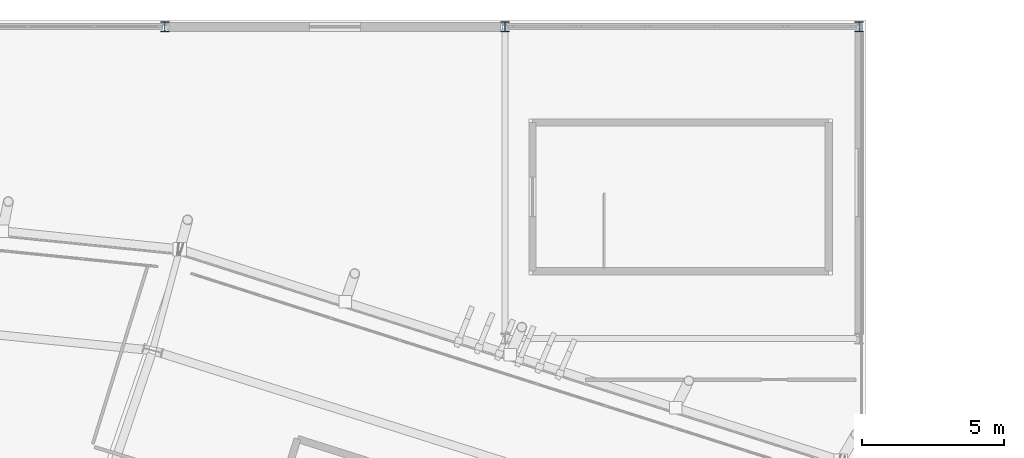
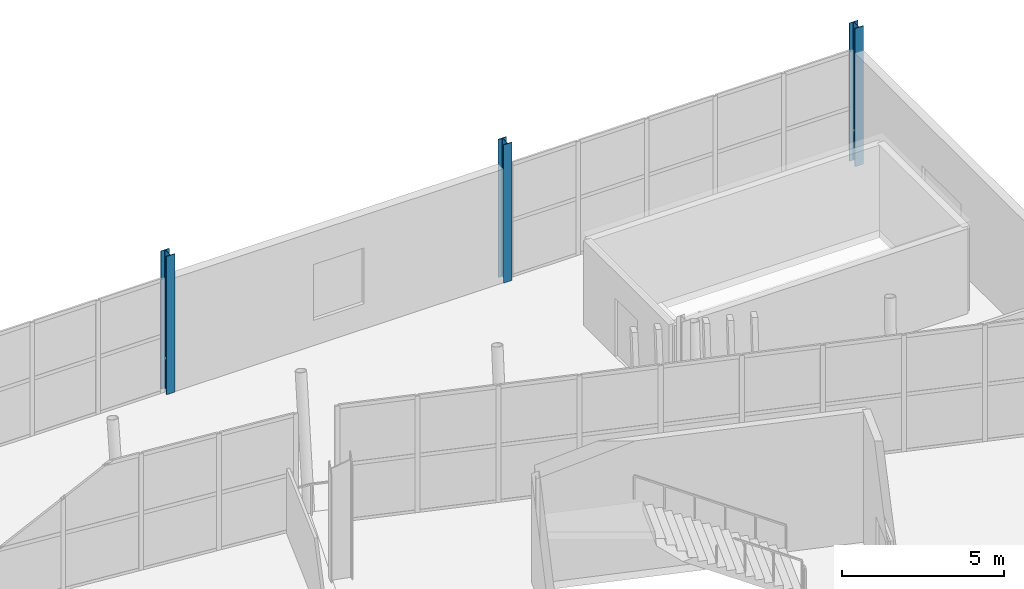
# One storey, part 20 of 168: 3 columns.
"""IFC4 building model written with IfcOpenShell, lengths in metres."""

from ifc_helpers import new_model, si_unit, direction, frame, origin, origin_2d, place, context, subcontext, project, spatial, i_section, extrude, material, material_profile, profile_set, type_object, element, save


model = new_model("IFC4")

# Units and contexts
model_context = context("Model", 3, precision=1e-05, world=origin(), true_north=direction((0.0, 1.0)))
body_context = subcontext(model_context, "Body", "Model", "MODEL_VIEW")
ifc_project = project(units=[si_unit("LENGTHUNIT", "METRE"), si_unit("AREAUNIT", "SQUARE_METRE"), si_unit("VOLUMEUNIT", "CUBIC_METRE"), si_unit("PLANEANGLEUNIT", "RADIAN"), si_unit("MASSUNIT", "GRAM", prefix="KILO")], contexts=[model_context])

# Site, building, storey
site_placement = place(None, origin())
site = spatial("IfcSite", under=ifc_project, at=site_placement, CompositionType="ELEMENT")
building_placement = place(site_placement, origin())
building = spatial("IfcBuilding", under=site, at=building_placement, Name="Zlatoyarsky Gate Stadium", CompositionType="ELEMENT")
storey_placement = place(building_placement, frame((0.0, 0.0, 15.60009765625)))
storey = spatial("IfcBuildingStorey", under=building, at=storey_placement, Name="L03", CompositionType="ELEMENT", Elevation=15.60009765625)

# Columns
ifc_material = material(Name="Steel S355", Category="steel")
ifc_material_profile = material_profile(ifc_material, i_section(OverallWidth=0.300048828125, OverallDepth=0.360107421875, WebThickness=0.012451171875, FlangeThickness=0.0224609375, FilletRadius=0.027099609375, at=origin_2d()), Name="HEB 360")
ifc_profile_set = profile_set([ifc_material_profile], Name="Steel S355")
column_type = type_object("IfcColumnType", Name="STEEL COLUMN HEB 360", PredefinedType="COLUMN", material=ifc_profile_set)
for number, where, z_axis, x_axis, name in (
    (1, (135.5, 160.0, 0.0), (0.0, 0.0, 1.0), (1.0, 0.0, 0.0), "Column ST-C360 WG-12-Q on L03"),
    (2, (147.5, 160.0, 0.0), (0.0, 0.0, 1.0), (1.0, 0.0, 0.0), "Column ST-C360 WG-13-Q on L03"),
    (3, (160.0, 160.0, 0.0), (0.0, 0.0, 1.0), (1.0, 0.0, 0.0), "Column ST-C360 WG-14-Q on L03"),
):
    element("IfcColumn", number, at=place(storey_placement, frame(where, z_axis=z_axis, x_axis=x_axis)), inside=storey, type_object=column_type, Name=name, PredefinedType="COLUMN", context=body_context, shape_type="SweptSolid", body=[
        extrude(i_section(OverallWidth=0.300048828125, OverallDepth=0.360107421875, WebThickness=0.012451171875, FlangeThickness=0.0224609375, FilletRadius=0.027099609375, at=origin_2d()), origin(), (0.0, 0.0, 1.0), 5.199951171875),
    ])

save(model, "model.ifc")
